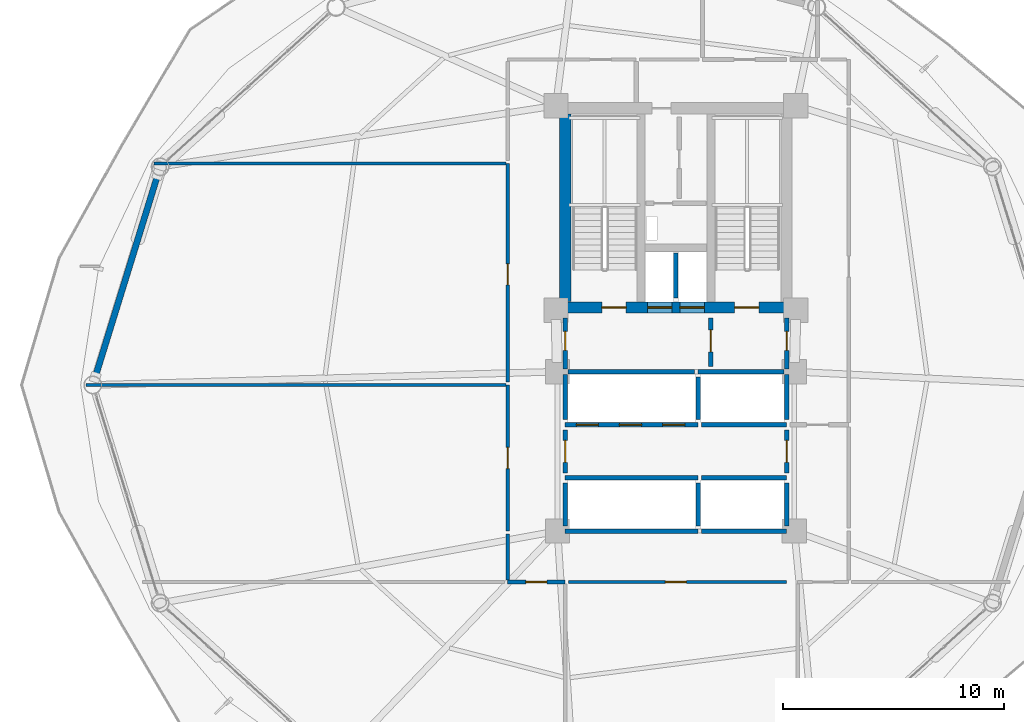
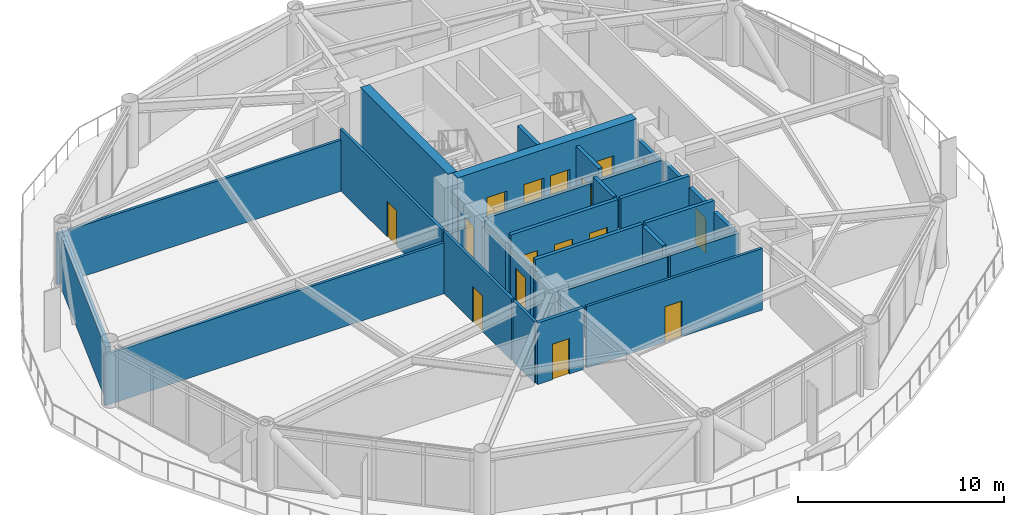
# One storey, part 19 of 23: 30 walls, 16 doors, 16 openings.
"""IFC4 building model written with IfcOpenShell, lengths in metres."""

from ifc_helpers import new_model, si_unit, direction, frame, frame_2d, origin, place, context, subcontext, project, spatial, rectangle, extrude, material, layer, layer_set, type_object, element, fill, save


model = new_model("IFC4")

# Units and contexts
model_context = context("Model", 3, precision=1e-05, world=origin(), true_north=direction((0.0, 1.0)))
body_context = subcontext(model_context, "Body", "Model", "MODEL_VIEW")
ifc_project = project(units=[si_unit("LENGTHUNIT", "METRE"), si_unit("AREAUNIT", "SQUARE_METRE"), si_unit("VOLUMEUNIT", "CUBIC_METRE"), si_unit("PLANEANGLEUNIT", "RADIAN"), si_unit("MASSUNIT", "GRAM", prefix="KILO")], contexts=[model_context])

# Site, building, storey
site_placement = place(None, origin())
site = spatial("IfcSite", under=ifc_project, at=site_placement, CompositionType="ELEMENT")
building_placement = place(site_placement, origin())
building = spatial("IfcBuilding", under=site, at=building_placement, Name="Varnakorn Sky Granary", CompositionType="ELEMENT")
storey_placement = place(building_placement, frame((0.0, 0.0, 83.699951171875)))
storey = spatial("IfcBuildingStorey", under=building, at=storey_placement, Name="L20", CompositionType="ELEMENT", Elevation=83.699951171875)

# Wall, openings, doors
ifc_material_1 = material(Name="Concrete C60/75", Category="concrete")
ifc_layer_1 = layer(ifc_material_1, 0.5, Name="Concrete C60/75")
ifc_layer_set_1 = layer_set([ifc_layer_1], Name="Concrete C60/75")
wall_type_1 = type_object("IfcWallType", Name="WT-CW-SHEAR-500", PredefinedType="SHEAR", material=ifc_layer_set_1)
wall_1_placement = place(storey_placement, frame((-2.0, 3.5, 0.0), z_axis=(0.0, 0.0, 1.0), x_axis=(1.0, 0.0, 0.0)))
wall_1 = element("IfcWall", 1, at=wall_1_placement, inside=storey, type_object=wall_type_1, Name="Core South Shear Wall L20", PredefinedType="SHEAR", context=body_context, shape_type="SweptSolid", body=[
    extrude(rectangle(XDim=10.0, YDim=0.5, at=frame_2d((5.0, 0.0))), origin(), (0.0, 0.0, 1.0), 3.89208984375),
])
opening_1_placement = place(wall_1_placement, frame((1.64990234375, 0.0, 0.0)))
opening_1 = element("IfcOpeningElement", 2, at=opening_1_placement, cuts=wall_1, Name="Opening FD-90", PredefinedType="OPENING", context=body_context, shape_type="SweptSolid", body=[
    extrude(rectangle(XDim=1.10009765625, YDim=2.14990234375, at=frame_2d((0.550048828125, 1.074951171875))), frame((0.0, 0.260009765625, 0.0), z_axis=(0.0, -1.0, 0.0), x_axis=(1.0, 0.0, 0.0)), (0.0, 0.0, 1.0), 0.52001953125),
])
opening_2_placement = place(wall_1_placement, frame((7.64990234375, 0.0, 0.0)))
opening_2 = element("IfcOpeningElement", 3, at=opening_2_placement, cuts=wall_1, Name="Opening FD-90", PredefinedType="OPENING", context=body_context, shape_type="SweptSolid", body=[
    extrude(rectangle(XDim=1.10009765625, YDim=2.14990234375, at=frame_2d((0.550048828125, 1.074951171875))), frame((0.0, 0.260009765625, 0.0), z_axis=(0.0, -1.0, 0.0), x_axis=(1.0, 0.0, 0.0)), (0.0, 0.0, 1.0), 0.52001953125),
])
opening_3_placement = place(wall_1_placement, frame((3.719970703125, 0.0, 0.0)))
opening_3 = element("IfcOpeningElement", 4, at=opening_3_placement, cuts=wall_1, Name="Opening LD-01", PredefinedType="OPENING", context=body_context, shape_type="SweptSolid", body=[
    extrude(rectangle(XDim=1.10009765625, YDim=2.199951171875, at=frame_2d((0.550048828125, 1.10009765625))), frame((0.0, 0.260009765625, 0.0), z_axis=(0.0, -1.0, 0.0), x_axis=(1.0, 0.0, 0.0)), (0.0, 0.0, 1.0), 0.52001953125),
])
opening_4_placement = place(wall_1_placement, frame((5.179931640625, 0.0, 0.0)))
opening_4 = element("IfcOpeningElement", 5, at=opening_4_placement, cuts=wall_1, Name="Opening LD-01", PredefinedType="OPENING", context=body_context, shape_type="SweptSolid", body=[
    extrude(rectangle(XDim=1.10009765625, YDim=2.199951171875, at=frame_2d((0.550048828125, 1.10009765625))), frame((0.0, 0.260009765625, 0.0), z_axis=(0.0, -1.0, 0.0), x_axis=(1.0, 0.0, 0.0)), (0.0, 0.0, 1.0), 0.52001953125),
])
ifc_material_2 = material(Name="Brushed Bronze Stainless Steel", Category="steel")
door_type_1 = type_object("IfcDoorType", Name="DR-LD-1100", OperationType="DOUBLE_DOOR_SLIDING", PredefinedType="DOOR", material=ifc_material_2)
door_1_placement = place(opening_3_placement, origin())
door_1 = element("IfcDoor", 6, at=door_1_placement, inside=storey, type_object=door_type_1, Name="Firefighting Lift FFL-1 Landing Door L20", OperationType="DOUBLE_DOOR_SLIDING", OverallHeight=2.199951171875, OverallWidth=1.10009765625, PredefinedType="DOOR", context=body_context, shape_type="SweptSolid", body=[
    extrude(rectangle(XDim=1.10009765625, YDim=2.199951171875, at=frame_2d((0.550048828125, 1.10009765625))), frame((0.0, 0.02490234375, 0.0), z_axis=(0.0, -1.0, 0.0), x_axis=(1.0, 0.0, 0.0)), (0.0, 0.0, 1.0), 0.050048828125),
])
fill(opening_3, door_1)
door_2_placement = place(opening_4_placement, origin())
door_2 = element("IfcDoor", 7, at=door_2_placement, inside=storey, type_object=door_type_1, Name="Firefighting Lift FFL-2 Landing Door L20", OperationType="DOUBLE_DOOR_SLIDING", OverallHeight=2.199951171875, OverallWidth=1.10009765625, PredefinedType="DOOR", context=body_context, shape_type="SweptSolid", body=[
    extrude(rectangle(XDim=1.10009765625, YDim=2.199951171875, at=frame_2d((0.550048828125, 1.10009765625))), frame((0.0, 0.02490234375, 0.0), z_axis=(0.0, -1.0, 0.0), x_axis=(1.0, 0.0, 0.0)), (0.0, 0.0, 1.0), 0.050048828125),
])
fill(opening_4, door_2)
ifc_material_3 = material(Name="Galvanised Painted Steel Leaf", Category="steel")
door_type_2 = type_object("IfcDoorType", Name="DR-STAIR-1100", OperationType="NOTDEFINED", PredefinedType="DOOR", material=ifc_material_3)
door_3_placement = place(opening_1_placement, origin())
door_3 = element("IfcDoor", 8, at=door_3_placement, inside=storey, type_object=door_type_2, Name="Stair ST-1 Protected Fire Door L20", OperationType="SINGLE_SWING_LEFT", OverallHeight=2.14990234375, OverallWidth=1.10009765625, PredefinedType="DOOR", context=body_context, shape_type="SweptSolid", body=[
    extrude(rectangle(XDim=1.10009765625, YDim=2.14990234375, at=frame_2d((0.550048828125, 1.074951171875))), frame((0.0, 0.02490234375, 0.0), z_axis=(0.0, -1.0, 0.0), x_axis=(1.0, 0.0, 0.0)), (0.0, 0.0, 1.0), 0.050048828125),
])
fill(opening_1, door_3)
door_4_placement = place(opening_2_placement, origin())
door_4 = element("IfcDoor", 9, at=door_4_placement, inside=storey, type_object=door_type_2, Name="Stair ST-2 Protected Fire Door L20", OperationType="SINGLE_SWING_RIGHT", OverallHeight=2.14990234375, OverallWidth=1.10009765625, PredefinedType="DOOR", context=body_context, shape_type="SweptSolid", body=[
    extrude(rectangle(XDim=1.10009765625, YDim=2.14990234375, at=frame_2d((0.550048828125, 1.074951171875))), frame((0.0, 0.02490234375, 0.0), z_axis=(0.0, -1.0, 0.0), x_axis=(1.0, 0.0, 0.0)), (0.0, 0.0, 1.0), 0.050048828125),
])
fill(opening_2, door_4)

# Walls
wall_2_placement = place(storey_placement, frame((-2.0, 3.760009765625, 0.0), z_axis=(0.0, 0.0, 1.0), x_axis=(0.0, 1.0, 0.0)))
element("IfcWall", 10, at=wall_2_placement, inside=storey, type_object=wall_type_1, Name="Core West Shear Wall L20", PredefinedType="SHEAR", context=body_context, shape_type="SweptSolid", body=[
    extrude(rectangle(XDim=8.47998046875, YDim=0.5, at=frame_2d((4.239990234375, 0.0))), origin(), (0.0, 0.0, 1.0), 3.89208984375),
])
ifc_material_4 = material(Name="Precast concrete C40/50", Category="concrete")
ifc_layer_2 = layer(ifc_material_4, 0.280029296875, Name="Precast concrete C40/50")
ifc_layer_set_2 = layer_set([ifc_layer_2], Name="Precast concrete C40/50")
wall_type_2 = type_object("IfcWallType", Name="WT-EW-CRN-280", PredefinedType="SOLIDWALL", material=ifc_layer_set_2)
wall_3_placement = place(storey_placement, frame((-23.2333984375, 0.345458984375, 0.0), z_axis=(0.0, 0.0, 1.0), x_axis=(0.295069648404, 0.955475746731, 0.0)))
element("IfcWall", 11, at=wall_3_placement, inside=storey, type_object=wall_type_2, Name="Agritech Insulated Precast Facade Wall L20-P06", PredefinedType="SOLIDWALL", context=body_context, shape_type="SweptSolid", body=[
    extrude(rectangle(XDim=9.589599609375, YDim=0.280029296875, at=frame_2d((4.794921875, 0.0))), origin(), (0.0, 0.0, 1.0), 3.110107421875),
])

# Wall, opening, door
ifc_material_5 = material(Name="Autoclaved Aerated Concrete Blockwork", Category="masonry")
ifc_layer_3 = layer(ifc_material_5, 0.199951171875, Name="Autoclaved Aerated Concrete Blockwork")
ifc_layer_set_3 = layer_set([ifc_layer_3], Name="Autoclaved Aerated Concrete Blockwork")
wall_type_3 = type_object("IfcWallType", Name="WT-FIRE-200", PredefinedType="MOVABLE", material=ifc_layer_set_3)
wall_4_placement = place(storey_placement, frame((4.580078125, 0.830078125, 0.0), z_axis=(0.0, 0.0, 1.0), x_axis=(0.0, 1.0, 0.0)))
wall_4 = element("IfcWall", 12, at=wall_4_placement, inside=storey, type_object=wall_type_3, Name="Interior Partition Wall L20-017", PredefinedType="MOVABLE", context=body_context, shape_type="SweptSolid", body=[
    extrude(rectangle(XDim=2.18994140625, YDim=0.199951171875, at=frame_2d((1.094970703125, 0.0))), origin(), (0.0, 0.0, 1.0), 3.64013671875),
])
opening_5_placement = place(wall_4_placement, frame((0.659912109375, 0.0, 0.0)))
opening_5 = element("IfcOpeningElement", 13, at=opening_5_placement, cuts=wall_4, Name="Opening FD-60", PredefinedType="OPENING", context=body_context, shape_type="SweptSolid", body=[
    extrude(rectangle(XDim=1.0, YDim=2.10009765625, at=frame_2d((0.5, 1.050048828125))), frame((0.0, 0.10986328125, 0.0), z_axis=(0.0, -1.0, 0.0), x_axis=(1.0, 0.0, 0.0)), (0.0, 0.0, 1.0), 0.219970703125),
])
ifc_material_6 = material(Name="Acoustic Timber Fire Leaf", Category="wood")
door_type_3 = type_object("IfcDoorType", Name="DR-FD60-1000", OperationType="NOTDEFINED", PredefinedType="DOOR", material=ifc_material_6)
door_5_placement = place(opening_5_placement, origin())
door_5 = element("IfcDoor", 14, at=door_5_placement, inside=storey, type_object=door_type_3, Name="Interior Door L20-017-1", OperationType="SINGLE_SWING_RIGHT", OverallHeight=2.10009765625, OverallWidth=1.0, PredefinedType="DOOR", context=body_context, shape_type="SweptSolid", body=[
    extrude(rectangle(XDim=1.0, YDim=2.10009765625, at=frame_2d((0.5, 1.050048828125))), frame((0.0, 0.02490234375, 0.0), z_axis=(0.0, -1.0, 0.0), x_axis=(1.0, 0.0, 0.0)), (0.0, 0.0, 1.0), 0.050048828125),
])
fill(opening_5, door_5)

wall_5_placement = place(storey_placement, frame((-2.0, 0.719970703125, 0.0), z_axis=(0.0, 0.0, 1.0), x_axis=(0.0, 1.0, 0.0)))
wall_5 = element("IfcWall", 15, at=wall_5_placement, inside=storey, type_object=wall_type_3, Name="Interior Partition Wall L20-018", PredefinedType="MOVABLE", context=body_context, shape_type="SweptSolid", body=[
    extrude(rectangle(XDim=2.300048828125, YDim=0.199951171875, at=frame_2d((1.14990234375, 0.0))), origin(), (0.0, 0.0, 1.0), 2.8720703125),
])
opening_6_placement = place(wall_5_placement, frame((0.844970703125, 0.0, 0.0)))
opening_6 = element("IfcOpeningElement", 16, at=opening_6_placement, cuts=wall_5, Name="Opening FD-60N", PredefinedType="OPENING", context=body_context, shape_type="SweptSolid", body=[
    extrude(rectangle(XDim=0.85009765625, YDim=2.10009765625, at=frame_2d((0.425048828125, 1.050048828125))), frame((0.0, 0.10986328125, 0.0), z_axis=(0.0, -1.0, 0.0), x_axis=(1.0, 0.0, 0.0)), (0.0, 0.0, 1.0), 0.219970703125),
])
door_type_4 = type_object("IfcDoorType", Name="DR-FD60-850", OperationType="NOTDEFINED", PredefinedType="DOOR", material=ifc_material_6)
door_6_placement = place(opening_6_placement, origin())
door_6 = element("IfcDoor", 17, at=door_6_placement, inside=storey, type_object=door_type_4, Name="Interior Door L20-018-1", OperationType="SINGLE_SWING_LEFT", OverallHeight=2.10009765625, OverallWidth=0.85009765625, PredefinedType="DOOR", context=body_context, shape_type="SweptSolid", body=[
    extrude(rectangle(XDim=0.85009765625, YDim=2.10009765625, at=frame_2d((0.425048828125, 1.050048828125))), frame((0.0, 0.02490234375, 0.0), z_axis=(0.0, -1.0, 0.0), x_axis=(1.0, 0.0, 0.0)), (0.0, 0.0, 1.0), 0.050048828125),
])
fill(opening_6, door_6)

wall_6_placement = place(storey_placement, frame((8.0, 0.719970703125, 0.0), z_axis=(0.0, 0.0, 1.0), x_axis=(0.0, 1.0, 0.0)))
wall_6 = element("IfcWall", 18, at=wall_6_placement, inside=storey, type_object=wall_type_3, Name="Interior Partition Wall L20-019", PredefinedType="MOVABLE", context=body_context, shape_type="SweptSolid", body=[
    extrude(rectangle(XDim=2.300048828125, YDim=0.199951171875, at=frame_2d((1.14990234375, 0.0))), origin(), (0.0, 0.0, 1.0), 2.8720703125),
])
opening_7_placement = place(wall_6_placement, frame((0.844970703125, 0.0, 0.0)))
opening_7 = element("IfcOpeningElement", 19, at=opening_7_placement, cuts=wall_6, Name="Opening FD-60N", PredefinedType="OPENING", context=body_context, shape_type="SweptSolid", body=[
    extrude(rectangle(XDim=0.85009765625, YDim=2.10009765625, at=frame_2d((0.425048828125, 1.050048828125))), frame((0.0, 0.10986328125, 0.0), z_axis=(0.0, -1.0, 0.0), x_axis=(1.0, 0.0, 0.0)), (0.0, 0.0, 1.0), 0.219970703125),
])
door_7_placement = place(opening_7_placement, origin())
door_7 = element("IfcDoor", 20, at=door_7_placement, inside=storey, type_object=door_type_4, Name="Interior Door L20-019-1", OperationType="SINGLE_SWING_RIGHT", OverallHeight=2.10009765625, OverallWidth=0.85009765625, PredefinedType="DOOR", context=body_context, shape_type="SweptSolid", body=[
    extrude(rectangle(XDim=0.85009765625, YDim=2.10009765625, at=frame_2d((0.425048828125, 1.050048828125))), frame((0.0, 0.02490234375, 0.0), z_axis=(0.0, -1.0, 0.0), x_axis=(1.0, 0.0, 0.0)), (0.0, 0.0, 1.0), 0.050048828125),
])
fill(opening_7, door_7)

wall_7_placement = place(storey_placement, frame((-2.0, -3.969970703125, 0.0), z_axis=(0.0, 0.0, 1.0), x_axis=(0.0, 1.0, 0.0)))
wall_7 = element("IfcWall", 21, at=wall_7_placement, inside=storey, type_object=wall_type_3, Name="Interior Partition Wall L20-020", PredefinedType="MOVABLE", context=body_context, shape_type="SweptSolid", body=[
    extrude(rectangle(XDim=1.93994140625, YDim=0.199951171875, at=frame_2d((0.969970703125, 0.0))), origin(), (0.0, 0.0, 1.0), 3.02197265625),
])
opening_8_placement = place(wall_7_placement, frame((0.469970703125, 0.0, 0.0)))
opening_8 = element("IfcOpeningElement", 22, at=opening_8_placement, cuts=wall_7, Name="Opening FD-60", PredefinedType="OPENING", context=body_context, shape_type="SweptSolid", body=[
    extrude(rectangle(XDim=1.0, YDim=2.10009765625, at=frame_2d((0.5, 1.050048828125))), frame((0.0, 0.10986328125, 0.0), z_axis=(0.0, -1.0, 0.0), x_axis=(1.0, 0.0, 0.0)), (0.0, 0.0, 1.0), 0.219970703125),
])
door_8_placement = place(opening_8_placement, origin())
door_8 = element("IfcDoor", 23, at=door_8_placement, inside=storey, type_object=door_type_3, Name="Interior Door L20-020-1", OperationType="SINGLE_SWING_LEFT", OverallHeight=2.10009765625, OverallWidth=1.0, PredefinedType="DOOR", context=body_context, shape_type="SweptSolid", body=[
    extrude(rectangle(XDim=1.0, YDim=2.10009765625, at=frame_2d((0.5, 1.050048828125))), frame((0.0, 0.02490234375, 0.0), z_axis=(0.0, -1.0, 0.0), x_axis=(1.0, 0.0, 0.0)), (0.0, 0.0, 1.0), 0.050048828125),
])
fill(opening_8, door_8)

wall_8_placement = place(storey_placement, frame((8.0, -3.969970703125, 0.0), z_axis=(0.0, 0.0, 1.0), x_axis=(0.0, 1.0, 0.0)))
wall_8 = element("IfcWall", 24, at=wall_8_placement, inside=storey, type_object=wall_type_3, Name="Interior Partition Wall L20-021", PredefinedType="MOVABLE", context=body_context, shape_type="SweptSolid", body=[
    extrude(rectangle(XDim=1.93994140625, YDim=0.199951171875, at=frame_2d((0.969970703125, 0.0))), origin(), (0.0, 0.0, 1.0), 3.072021484375),
])
opening_9_placement = place(wall_8_placement, frame((0.469970703125, 0.0, 0.0)))
opening_9 = element("IfcOpeningElement", 25, at=opening_9_placement, cuts=wall_8, Name="Opening FD-60", PredefinedType="OPENING", context=body_context, shape_type="SweptSolid", body=[
    extrude(rectangle(XDim=1.0, YDim=2.10009765625, at=frame_2d((0.5, 1.050048828125))), frame((0.0, 0.10986328125, 0.0), z_axis=(0.0, -1.0, 0.0), x_axis=(1.0, 0.0, 0.0)), (0.0, 0.0, 1.0), 0.219970703125),
])
door_9_placement = place(opening_9_placement, origin())
door_9 = element("IfcDoor", 26, at=door_9_placement, inside=storey, type_object=door_type_3, Name="Interior Door L20-021-1", OperationType="SINGLE_SWING_RIGHT", OverallHeight=2.10009765625, OverallWidth=1.0, PredefinedType="DOOR", context=body_context, shape_type="SweptSolid", body=[
    extrude(rectangle(XDim=1.0, YDim=2.10009765625, at=frame_2d((0.5, 1.050048828125))), frame((0.0, 0.02490234375, 0.0), z_axis=(0.0, -1.0, 0.0), x_axis=(1.0, 0.0, 0.0)), (0.0, 0.0, 1.0), 0.050048828125),
])
fill(opening_9, door_9)

# Wall
wall_9_placement = place(storey_placement, frame((-1.8798828125, 0.60009765625, 0.0), z_axis=(0.0, 0.0, 1.0), x_axis=(1.0, 0.0, 0.0)))
element("IfcWall", 27, at=wall_9_placement, inside=storey, type_object=wall_type_3, Name="Interior Partition Wall L20-031", PredefinedType="MOVABLE", context=body_context, shape_type="SweptSolid", body=[
    extrude(rectangle(XDim=5.719970703125, YDim=0.199951171875, at=frame_2d((2.85986328125, 0.0))), origin(), (0.0, 0.0, 1.0), 3.172119140625),
])

# Wall, opening, door
ifc_material_7 = material(Name="Gypsum Plasterboard on Steel Stud", Category="steel")
ifc_layer_4 = layer(ifc_material_7, 0.14990234375, Name="Gypsum Plasterboard on Steel Stud")
ifc_layer_set_4 = layer_set([ifc_layer_4], Name="Gypsum Plasterboard on Steel Stud")
wall_type_4 = type_object("IfcWallType", Name="WT-PART-150", PredefinedType="PARTITIONING", material=ifc_layer_set_4)
wall_10_placement = place(storey_placement, frame((-1.85009765625, -8.89990234375, 0.0), z_axis=(0.0, 0.0, 1.0), x_axis=(1.0, 0.0, 0.0)))
wall_10 = element("IfcWall", 28, at=wall_10_placement, inside=storey, type_object=wall_type_4, Name="Interior Partition Wall L20-025", PredefinedType="PARTITIONING", context=body_context, shape_type="SweptSolid", body=[
    extrude(rectangle(XDim=9.85009765625, YDim=0.14990234375, at=frame_2d((4.925048828125, 0.0))), origin(), (0.0, 0.0, 1.0), 3.64013671875),
])
opening_10_placement = place(wall_10_placement, frame((4.375, 0.0, 0.0)))
opening_10 = element("IfcOpeningElement", 29, at=opening_10_placement, cuts=wall_10, Name="Opening ID-95", PredefinedType="OPENING", context=body_context, shape_type="SweptSolid", body=[
    extrude(rectangle(XDim=0.949951171875, YDim=2.10009765625, at=frame_2d((0.47509765625, 1.050048828125))), frame((0.0, 0.0849609375, 0.0), z_axis=(0.0, -1.0, 0.0), x_axis=(1.0, 0.0, 0.0)), (0.0, 0.0, 1.0), 0.169921875),
])
ifc_material_8 = material(Name="Solid-Core Teak Veneer Leaf", Category="timber")
door_type_5 = type_object("IfcDoorType", Name="DR-INT-950", OperationType="NOTDEFINED", PredefinedType="DOOR", material=ifc_material_8)
door_10_placement = place(opening_10_placement, origin())
door_10 = element("IfcDoor", 30, at=door_10_placement, inside=storey, type_object=door_type_5, Name="Interior Door L20-025-1", OperationType="SINGLE_SWING_RIGHT", OverallHeight=2.10009765625, OverallWidth=0.949951171875, PredefinedType="DOOR", context=body_context, shape_type="SweptSolid", body=[
    extrude(rectangle(XDim=0.949951171875, YDim=2.10009765625, at=frame_2d((0.47509765625, 1.050048828125))), frame((0.0, 0.02490234375, 0.0), z_axis=(0.0, -1.0, 0.0), x_axis=(1.0, 0.0, 0.0)), (0.0, 0.0, 1.0), 0.050048828125),
])
fill(opening_10, door_10)

wall_11_placement = place(storey_placement, frame((-4.60009765625, 0.0, 0.0), z_axis=(0.0, 0.0, 1.0), x_axis=(0.0, -1.0, 0.0)))
wall_11 = element("IfcWall", 31, at=wall_11_placement, inside=storey, type_object=wall_type_4, Name="Interior Partition Wall L20-027", PredefinedType="PARTITIONING", context=body_context, shape_type="SweptSolid", body=[
    extrude(rectangle(XDim=6.60009765625, YDim=0.14990234375, at=frame_2d((3.300048828125, 0.0))), origin(), (0.0, 0.0, 1.0), 3.64013671875),
])
opening_11_placement = place(wall_11_placement, frame((2.824951171875, 0.0, 0.0)))
opening_11 = element("IfcOpeningElement", 32, at=opening_11_placement, cuts=wall_11, Name="Opening ID-95", PredefinedType="OPENING", context=body_context, shape_type="SweptSolid", body=[
    extrude(rectangle(XDim=0.949951171875, YDim=2.10009765625, at=frame_2d((0.47509765625, 1.050048828125))), frame((0.0, 0.0849609375, 0.0), z_axis=(0.0, -1.0, 0.0), x_axis=(1.0, 0.0, 0.0)), (0.0, 0.0, 1.0), 0.169921875),
])
door_11_placement = place(opening_11_placement, origin())
door_11 = element("IfcDoor", 33, at=door_11_placement, inside=storey, type_object=door_type_5, Name="Interior Door L20-027-1", OperationType="SINGLE_SWING_RIGHT", OverallHeight=2.10009765625, OverallWidth=0.949951171875, PredefinedType="DOOR", context=body_context, shape_type="SweptSolid", body=[
    extrude(rectangle(XDim=0.949951171875, YDim=2.10009765625, at=frame_2d((0.47509765625, 1.050048828125))), frame((0.0, 0.02490234375, 0.0), z_axis=(0.0, -1.0, 0.0), x_axis=(1.0, 0.0, 0.0)), (0.0, 0.0, 1.0), 0.050048828125),
])
fill(opening_11, door_11)

wall_12_placement = place(storey_placement, frame((-4.60009765625, 10.0, 0.0), z_axis=(0.0, 0.0, 1.0), x_axis=(0.0, -1.0, 0.0)))
wall_12 = element("IfcWall", 34, at=wall_12_placement, inside=storey, type_object=wall_type_4, Name="Interior Partition Wall L20-028", PredefinedType="PARTITIONING", context=body_context, shape_type="SweptSolid", body=[
    extrude(rectangle(XDim=9.864990234375, YDim=0.14990234375, at=frame_2d((4.9326171875, 0.0))), origin(), (0.0, 0.0, 1.0), 3.64013671875),
])
opening_12_placement = place(wall_12_placement, frame((4.52490234375, 0.0, 0.0)))
opening_12 = element("IfcOpeningElement", 35, at=opening_12_placement, cuts=wall_12, Name="Opening ID-95", PredefinedType="OPENING", context=body_context, shape_type="SweptSolid", body=[
    extrude(rectangle(XDim=0.949951171875, YDim=2.10009765625, at=frame_2d((0.47509765625, 1.050048828125))), frame((0.0, 0.0849609375, 0.0), z_axis=(0.0, -1.0, 0.0), x_axis=(1.0, 0.0, 0.0)), (0.0, 0.0, 1.0), 0.169921875),
])
door_12_placement = place(opening_12_placement, origin())
door_12 = element("IfcDoor", 36, at=door_12_placement, inside=storey, type_object=door_type_5, Name="Interior Door L20-028-1", OperationType="SINGLE_SWING_LEFT", OverallHeight=2.10009765625, OverallWidth=0.949951171875, PredefinedType="DOOR", context=body_context, shape_type="SweptSolid", body=[
    extrude(rectangle(XDim=0.949951171875, YDim=2.10009765625, at=frame_2d((0.47509765625, 1.050048828125))), frame((0.0, 0.02490234375, 0.0), z_axis=(0.0, -1.0, 0.0), x_axis=(1.0, 0.0, 0.0)), (0.0, 0.0, 1.0), 0.050048828125),
])
fill(opening_12, door_12)

# Walls
wall_13_placement = place(storey_placement, frame((-4.60009765625, -6.735107421875, 0.0), z_axis=(0.0, 0.0, 1.0), x_axis=(0.0, -1.0, 0.0)))
element("IfcWall", 37, at=wall_13_placement, inside=storey, type_object=wall_type_4, Name="Interior Partition Wall L20-038", PredefinedType="PARTITIONING", context=body_context, shape_type="SweptSolid", body=[
    extrude(rectangle(XDim=2.06494140625, YDim=0.14990234375, at=frame_2d((1.032470703125, 0.0))), origin(), (0.0, 0.0, 1.0), 3.64013671875),
])
wall_14_placement = place(storey_placement, frame((-23.64990234375, 0.0, 0.0), z_axis=(0.0, 0.0, 1.0), x_axis=(1.0, 0.0, 0.0)))
element("IfcWall", 38, at=wall_14_placement, inside=storey, type_object=wall_type_4, Name="Interior Partition Wall L20-039", PredefinedType="PARTITIONING", context=body_context, shape_type="SweptSolid", body=[
    extrude(rectangle(XDim=18.96484375, YDim=0.14990234375, at=frame_2d((9.482421875, 0.0))), origin(), (0.0, 0.0, 1.0), 3.02197265625),
])
wall_15_placement = place(storey_placement, frame((-20.570068359375, 10.0, 0.0), z_axis=(0.0, 0.0, 1.0), x_axis=(1.0, 0.0, 0.0)))
element("IfcWall", 39, at=wall_15_placement, inside=storey, type_object=wall_type_4, Name="Interior Partition Wall L20-040", PredefinedType="PARTITIONING", context=body_context, shape_type="SweptSolid", body=[
    extrude(rectangle(XDim=15.885009765625, YDim=0.14990234375, at=frame_2d((7.9423828125, 0.0))), origin(), (0.0, 0.0, 1.0), 3.02197265625),
])

# Wall, opening, door
ifc_material_9 = material(Name="Moisture-Resistant Gypsum on Stud", Category="gypsum")
ifc_layer_5 = layer(ifc_material_9, 0.179931640625, Name="Moisture-Resistant Gypsum on Stud")
ifc_layer_set_5 = layer_set([ifc_layer_5], Name="Moisture-Resistant Gypsum on Stud")
wall_type_5 = type_object("IfcWallType", Name="WT-PLUMB-180", PredefinedType="PLUMBINGWALL", material=ifc_layer_set_5)
wall_16_placement = place(storey_placement, frame((-4.60009765625, -8.89990234375, 0.0), z_axis=(0.0, 0.0, 1.0), x_axis=(1.0, 0.0, 0.0)))
wall_16 = element("IfcWall", 40, at=wall_16_placement, inside=storey, type_object=wall_type_5, Name="Interior Partition Wall L20-024", PredefinedType="PLUMBINGWALL", context=body_context, shape_type="SweptSolid", body=[
    extrude(rectangle(XDim=2.60009765625, YDim=0.179931640625, at=frame_2d((1.300048828125, 0.0))), origin(), (0.0, 0.0, 1.0), 3.64013671875),
])
opening_13_placement = place(wall_16_placement, frame((0.824951171875, 0.0, 0.0)))
opening_13 = element("IfcOpeningElement", 41, at=opening_13_placement, cuts=wall_16, Name="Opening ID-95", PredefinedType="OPENING", context=body_context, shape_type="SweptSolid", body=[
    extrude(rectangle(XDim=0.949951171875, YDim=2.10009765625, at=frame_2d((0.47509765625, 1.050048828125))), frame((0.0, 0.10009765625, 0.0), z_axis=(0.0, -1.0, 0.0), x_axis=(1.0, 0.0, 0.0)), (0.0, 0.0, 1.0), 0.199951171875),
])
door_13_placement = place(opening_13_placement, origin())
door_13 = element("IfcDoor", 42, at=door_13_placement, inside=storey, type_object=door_type_5, Name="Interior Door L20-024-1", OperationType="SINGLE_SWING_LEFT", OverallHeight=2.10009765625, OverallWidth=0.949951171875, PredefinedType="DOOR", context=body_context, shape_type="SweptSolid", body=[
    extrude(rectangle(XDim=0.949951171875, YDim=2.10009765625, at=frame_2d((0.47509765625, 1.050048828125))), frame((0.0, 0.02490234375, 0.0), z_axis=(0.0, -1.0, 0.0), x_axis=(1.0, 0.0, 0.0)), (0.0, 0.0, 1.0), 0.050048828125),
])
fill(opening_13, door_13)

# Walls
ifc_layer_6 = layer(ifc_material_5, 0.199951171875, Name="Autoclaved Aerated Concrete Blockwork")
ifc_layer_set_6 = layer_set([ifc_layer_6], Name="Autoclaved Aerated Concrete Blockwork")
wall_type_6 = type_object("IfcWallType", Name="WT-SHAFT-200", PredefinedType="SOLIDWALL", material=ifc_layer_set_6)
wall_17_placement = place(storey_placement, frame((3.0, 3.919921875, 0.0), z_axis=(0.0, 0.0, 1.0), x_axis=(0.0, 1.0, 0.0)))
element("IfcWall", 43, at=wall_17_placement, inside=storey, type_object=wall_type_6, Name="Interior Partition Wall L20-001", PredefinedType="SOLIDWALL", context=body_context, shape_type="SweptSolid", body=[
    extrude(rectangle(XDim=2.030029296875, YDim=0.199951171875, at=frame_2d((1.01513671875, 0.0))), origin(), (0.0, 0.0, 1.0), 3.64013671875),
])
wall_18_placement = place(storey_placement, frame((4.0, 0.60009765625, 0.0), z_axis=(0.0, 0.0, 1.0), x_axis=(1.0, 0.0, 0.0)))
element("IfcWall", 44, at=wall_18_placement, inside=storey, type_object=wall_type_6, Name="Interior Partition Wall L20-002", PredefinedType="SOLIDWALL", context=body_context, shape_type="SweptSolid", body=[
    extrude(rectangle(XDim=3.8798828125, YDim=0.199951171875, at=frame_2d((1.93994140625, 0.0))), origin(), (0.0, 0.0, 1.0), 3.172119140625),
])

# Wall, openings, doors
wall_19_placement = place(storey_placement, frame((-2.0, -1.800048828125, 0.0), z_axis=(0.0, 0.0, 1.0), x_axis=(1.0, 0.0, 0.0)))
wall_19 = element("IfcWall", 45, at=wall_19_placement, inside=storey, type_object=wall_type_6, Name="Interior Partition Wall L20-003", PredefinedType="SOLIDWALL", context=body_context, shape_type="SweptSolid", body=[
    extrude(rectangle(XDim=6.0, YDim=0.199951171875, at=frame_2d((3.0, 0.0))), origin(), (0.0, 0.0, 1.0), 3.64013671875),
])
opening_14_placement = place(wall_19_placement, frame((0.5, 0.0, 0.0)))
opening_14 = element("IfcOpeningElement", 46, at=opening_14_placement, cuts=wall_19, Name="Opening LD-03", PredefinedType="OPENING", context=body_context, shape_type="SweptSolid", body=[
    extrude(rectangle(XDim=1.0, YDim=2.199951171875, at=frame_2d((0.5, 1.10009765625))), frame((0.0, 0.10986328125, 0.0), z_axis=(0.0, -1.0, 0.0), x_axis=(1.0, 0.0, 0.0)), (0.0, 0.0, 1.0), 0.219970703125),
])
opening_15_placement = place(wall_19_placement, frame((2.449951171875, 0.0, 0.0)))
opening_15 = element("IfcOpeningElement", 47, at=opening_15_placement, cuts=wall_19, Name="Opening LD-03", PredefinedType="OPENING", context=body_context, shape_type="SweptSolid", body=[
    extrude(rectangle(XDim=1.0, YDim=2.199951171875, at=frame_2d((0.5, 1.10009765625))), frame((0.0, 0.10986328125, 0.0), z_axis=(0.0, -1.0, 0.0), x_axis=(1.0, 0.0, 0.0)), (0.0, 0.0, 1.0), 0.219970703125),
])
opening_16_placement = place(wall_19_placement, frame((4.39990234375, 0.0, 0.0)))
opening_16 = element("IfcOpeningElement", 48, at=opening_16_placement, cuts=wall_19, Name="Opening LD-03", PredefinedType="OPENING", context=body_context, shape_type="SweptSolid", body=[
    extrude(rectangle(XDim=1.0, YDim=2.199951171875, at=frame_2d((0.5, 1.10009765625))), frame((0.0, 0.10986328125, 0.0), z_axis=(0.0, -1.0, 0.0), x_axis=(1.0, 0.0, 0.0)), (0.0, 0.0, 1.0), 0.219970703125),
])
door_type_6 = type_object("IfcDoorType", Name="DR-LD-1000", OperationType="DOUBLE_DOOR_SLIDING", PredefinedType="DOOR", material=ifc_material_2)
door_14_placement = place(opening_14_placement, origin())
door_14 = element("IfcDoor", 49, at=door_14_placement, inside=storey, type_object=door_type_6, Name="Passenger Lift PL-L1 Sliding Landing Door L20", OperationType="DOUBLE_DOOR_SLIDING", OverallHeight=2.199951171875, OverallWidth=1.0, PredefinedType="DOOR", context=body_context, shape_type="SweptSolid", body=[
    extrude(rectangle(XDim=1.0, YDim=2.199951171875, at=frame_2d((0.5, 1.10009765625))), frame((0.0, 0.02490234375, 0.0), z_axis=(0.0, -1.0, 0.0), x_axis=(1.0, 0.0, 0.0)), (0.0, 0.0, 1.0), 0.050048828125),
])
fill(opening_14, door_14)
door_15_placement = place(opening_15_placement, origin())
door_15 = element("IfcDoor", 50, at=door_15_placement, inside=storey, type_object=door_type_6, Name="Passenger Lift PL-L2 Sliding Landing Door L20", OperationType="DOUBLE_DOOR_SLIDING", OverallHeight=2.199951171875, OverallWidth=1.0, PredefinedType="DOOR", context=body_context, shape_type="SweptSolid", body=[
    extrude(rectangle(XDim=1.0, YDim=2.199951171875, at=frame_2d((0.5, 1.10009765625))), frame((0.0, 0.02490234375, 0.0), z_axis=(0.0, -1.0, 0.0), x_axis=(1.0, 0.0, 0.0)), (0.0, 0.0, 1.0), 0.050048828125),
])
fill(opening_15, door_15)
door_16_placement = place(opening_16_placement, origin())
door_16 = element("IfcDoor", 51, at=door_16_placement, inside=storey, type_object=door_type_6, Name="Passenger Lift PL-L3 Sliding Landing Door L20", OperationType="DOUBLE_DOOR_SLIDING", OverallHeight=2.199951171875, OverallWidth=1.0, PredefinedType="DOOR", context=body_context, shape_type="SweptSolid", body=[
    extrude(rectangle(XDim=1.0, YDim=2.199951171875, at=frame_2d((0.5, 1.10009765625))), frame((0.0, 0.02490234375, 0.0), z_axis=(0.0, -1.0, 0.0), x_axis=(1.0, 0.0, 0.0)), (0.0, 0.0, 1.0), 0.050048828125),
])
fill(opening_16, door_16)

# Walls
wall_20_placement = place(storey_placement, frame((-2.0, -1.570068359375, 0.0), z_axis=(0.0, 0.0, 1.0), x_axis=(0.0, 1.0, 0.0)))
element("IfcWall", 52, at=wall_20_placement, inside=storey, type_object=wall_type_6, Name="Interior Partition Wall L20-004", PredefinedType="SOLIDWALL", context=body_context, shape_type="SweptSolid", body=[
    extrude(rectangle(XDim=2.050048828125, YDim=0.199951171875, at=frame_2d((1.02490234375, 0.0))), origin(), (0.0, 0.0, 1.0), 3.02197265625),
])
wall_21_placement = place(storey_placement, frame((4.159912109375, -1.800048828125, 0.0), z_axis=(0.0, 0.0, 1.0), x_axis=(1.0, 0.0, 0.0)))
element("IfcWall", 53, at=wall_21_placement, inside=storey, type_object=wall_type_6, Name="Interior Partition Wall L20-005", PredefinedType="SOLIDWALL", context=body_context, shape_type="SweptSolid", body=[
    extrude(rectangle(XDim=3.840087890625, YDim=0.199951171875, at=frame_2d((1.919921875, 0.0))), origin(), (0.0, 0.0, 1.0), 3.64013671875),
])
wall_22_placement = place(storey_placement, frame((4.0, -1.570068359375, 0.0), z_axis=(0.0, 0.0, 1.0), x_axis=(0.0, 1.0, 0.0)))
element("IfcWall", 54, at=wall_22_placement, inside=storey, type_object=wall_type_6, Name="Interior Partition Wall L20-006", PredefinedType="SOLIDWALL", context=body_context, shape_type="SweptSolid", body=[
    extrude(rectangle(XDim=1.940185546875, YDim=0.199951171875, at=frame_2d((0.97021484375, 0.0))), origin(), (0.0, 0.0, 1.0), 3.64013671875),
])
wall_23_placement = place(storey_placement, frame((8.0, -1.570068359375, 0.0), z_axis=(0.0, 0.0, 1.0), x_axis=(0.0, 1.0, 0.0)))
element("IfcWall", 55, at=wall_23_placement, inside=storey, type_object=wall_type_6, Name="Interior Partition Wall L20-007", PredefinedType="SOLIDWALL", context=body_context, shape_type="SweptSolid", body=[
    extrude(rectangle(XDim=2.050048828125, YDim=0.199951171875, at=frame_2d((1.02490234375, 0.0))), origin(), (0.0, 0.0, 1.0), 3.072021484375),
])
wall_24_placement = place(storey_placement, frame((-2.0, -4.199951171875, 0.0), z_axis=(0.0, 0.0, 1.0), x_axis=(1.0, 0.0, 0.0)))
element("IfcWall", 56, at=wall_24_placement, inside=storey, type_object=wall_type_6, Name="Interior Partition Wall L20-008", PredefinedType="SOLIDWALL", context=body_context, shape_type="SweptSolid", body=[
    extrude(rectangle(XDim=6.0, YDim=0.199951171875, at=frame_2d((3.0, 0.0))), origin(), (0.0, 0.0, 1.0), 3.64013671875),
])
wall_25_placement = place(storey_placement, frame((-2.0, -6.60009765625, 0.0), z_axis=(0.0, 0.0, 1.0), x_axis=(1.0, 0.0, 0.0)))
element("IfcWall", 57, at=wall_25_placement, inside=storey, type_object=wall_type_6, Name="Interior Partition Wall L20-009", PredefinedType="SOLIDWALL", context=body_context, shape_type="SweptSolid", body=[
    extrude(rectangle(XDim=6.0, YDim=0.199951171875, at=frame_2d((3.0, 0.0))), origin(), (0.0, 0.0, 1.0), 3.172119140625),
])
wall_26_placement = place(storey_placement, frame((-2.0, -6.3701171875, 0.0), z_axis=(0.0, 0.0, 1.0), x_axis=(0.0, 1.0, 0.0)))
element("IfcWall", 58, at=wall_26_placement, inside=storey, type_object=wall_type_6, Name="Interior Partition Wall L20-010", PredefinedType="SOLIDWALL", context=body_context, shape_type="SweptSolid", body=[
    extrude(rectangle(XDim=1.940185546875, YDim=0.199951171875, at=frame_2d((0.97021484375, 0.0))), origin(), (0.0, 0.0, 1.0), 3.02197265625),
])
wall_27_placement = place(storey_placement, frame((4.159912109375, -4.199951171875, 0.0), z_axis=(0.0, 0.0, 1.0), x_axis=(1.0, 0.0, 0.0)))
element("IfcWall", 59, at=wall_27_placement, inside=storey, type_object=wall_type_6, Name="Interior Partition Wall L20-011", PredefinedType="SOLIDWALL", context=body_context, shape_type="SweptSolid", body=[
    extrude(rectangle(XDim=3.840087890625, YDim=0.199951171875, at=frame_2d((1.919921875, 0.0))), origin(), (0.0, 0.0, 1.0), 3.64013671875),
])
wall_28_placement = place(storey_placement, frame((4.159912109375, -6.60009765625, 0.0), z_axis=(0.0, 0.0, 1.0), x_axis=(1.0, 0.0, 0.0)))
element("IfcWall", 60, at=wall_28_placement, inside=storey, type_object=wall_type_6, Name="Interior Partition Wall L20-012", PredefinedType="SOLIDWALL", context=body_context, shape_type="SweptSolid", body=[
    extrude(rectangle(XDim=3.840087890625, YDim=0.199951171875, at=frame_2d((1.919921875, 0.0))), origin(), (0.0, 0.0, 1.0), 3.172119140625),
])
wall_29_placement = place(storey_placement, frame((4.0, -6.3701171875, 0.0), z_axis=(0.0, 0.0, 1.0), x_axis=(0.0, 1.0, 0.0)))
element("IfcWall", 61, at=wall_29_placement, inside=storey, type_object=wall_type_6, Name="Interior Partition Wall L20-013", PredefinedType="SOLIDWALL", context=body_context, shape_type="SweptSolid", body=[
    extrude(rectangle(XDim=1.940185546875, YDim=0.199951171875, at=frame_2d((0.97021484375, 0.0))), origin(), (0.0, 0.0, 1.0), 3.64013671875),
])
wall_30_placement = place(storey_placement, frame((8.0, -6.3701171875, 0.0), z_axis=(0.0, 0.0, 1.0), x_axis=(0.0, 1.0, 0.0)))
element("IfcWall", 62, at=wall_30_placement, inside=storey, type_object=wall_type_6, Name="Interior Partition Wall L20-014", PredefinedType="SOLIDWALL", context=body_context, shape_type="SweptSolid", body=[
    extrude(rectangle(XDim=1.940185546875, YDim=0.199951171875, at=frame_2d((0.97021484375, 0.0))), origin(), (0.0, 0.0, 1.0), 3.072021484375),
])

save(model, "model.ifc")
